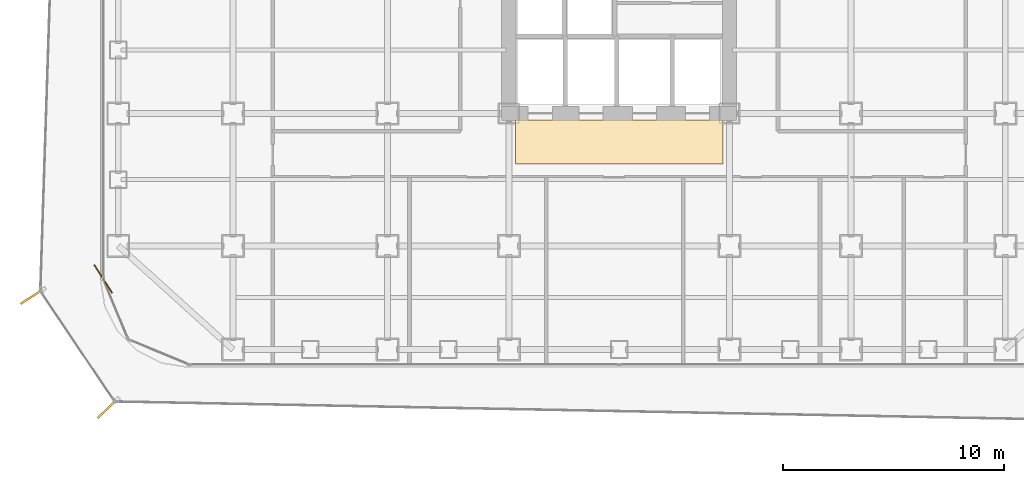
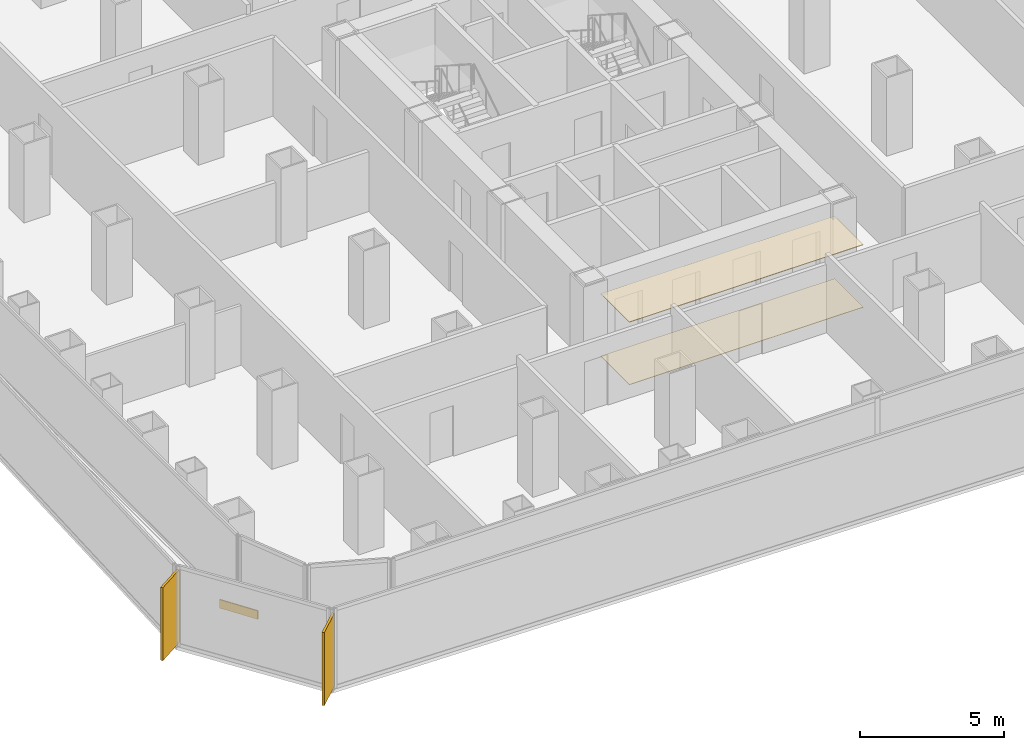
# One storey, part 20 of 22: 3 coverings, 2 shading devices.
"""IFC4 building model written with IfcOpenShell, lengths in metres."""

import ifcopenshell
import ifcopenshell.guid

model = None  # the IFC model being written
_history = None  # IfcOwnerHistory: only IFC2X3 demands one
_inside = {}  # id of a spatial element -> (the spatial element, [elements in it])
_under = {}  # id of a project, library or spatial element -> (it, [spatial elements below it])
_declared = {}  # id of a project -> (the project, [libraries it declares])
_typed = {}  # id of a type object -> (the type object, [elements of that type])
_made_of = {}  # id of a material, layer set ... -> (it, [elements and type objects made of it])


def new_model(schema):
    """Start an empty IFC model of exactly this schema.

    Asked for "IFC4X3", IfcOpenShell would pick the latest addendum, in which some entities
    have other attributes; the version numbers below select the first issue.
    IFC2X3 requires an IfcOwnerHistory on every rooted entity: one is made here for all.
    """
    global model, _history
    if schema == "IFC4X3":
        model = ifcopenshell.file(schema_version=(4, 3, 0, 0))
    else:
        model = ifcopenshell.file(schema=schema)
    _inside.clear()
    _under.clear()
    _declared.clear()
    _typed.clear()
    _made_of.clear()
    _history = None
    if model.schema == "IFC2X3":
        org = make("IfcOrganization", Name="unknown")
        user = make(
            "IfcPersonAndOrganization",
            ThePerson=make("IfcPerson", FamilyName="unknown"),
            TheOrganization=org,
        )
        app = make(
            "IfcApplication",
            ApplicationDeveloper=org,
            Version="unknown",
            ApplicationFullName="unknown",
            ApplicationIdentifier="unknown",
        )
        _history = make(
            "IfcOwnerHistory",
            OwningUser=user,
            OwningApplication=app,
            ChangeAction="ADDED",
            CreationDate=0,
        )
    return model


def make(cls, **values):
    """One entity of the class cls with the attributes given. An attribute that is None is left unset."""
    return model.create_entity(
        cls, **{name: value for name, value in values.items() if value is not None}
    )


def rooted(cls, **values):
    """An entity with a GlobalId (a new one), such as an element, a storey or a relation."""
    return make(cls, GlobalId=ifcopenshell.guid.new(), OwnerHistory=_history, **values)


def si_unit(unit_type, name, prefix=None):
    """IfcSIUnit, for example si_unit("LENGTHUNIT", "METRE", prefix="MILLI")."""
    return make("IfcSIUnit", UnitType=unit_type, Prefix=prefix, Name=name)


def assignment(units):
    """IfcUnitAssignment: the units of a project."""
    return None if units is None else make("IfcUnitAssignment", Units=units)


def point(xyz):
    """IfcCartesianPoint."""
    return None if xyz is None else make("IfcCartesianPoint", Coordinates=xyz)


def direction(xyz):
    """IfcDirection."""
    return None if xyz is None else make("IfcDirection", DirectionRatios=xyz)


def frame(location, z_axis=None, x_axis=None):
    """IfcAxis2Placement3D, a coordinate frame: its origin and axes. An axis left out is left unset."""
    return make(
        "IfcAxis2Placement3D",
        Location=point(location),
        Axis=direction(z_axis),
        RefDirection=direction(x_axis),
    )


def frame_2d(location, x_axis=None):
    """IfcAxis2Placement2D, a coordinate frame in the plane: its origin and x axis."""
    return make(
        "IfcAxis2Placement2D", Location=point(location), RefDirection=direction(x_axis)
    )


def origin():
    """The frame at (0, 0, 0) with its axes left unset."""
    return frame((0.0, 0.0, 0.0))


def origin_2d():
    """The frame at (0, 0) in the plane with its x axis left unset."""
    return frame_2d((0.0, 0.0))


def place(relative_to, where):
    """IfcLocalPlacement: puts the frame where relative to a parent placement (None: the world)."""
    return make(
        "IfcLocalPlacement", PlacementRelTo=relative_to, RelativePlacement=where
    )


def context(
    kind, dimensions, precision=None, world=None, true_north=None, identifier=None
):
    """IfcGeometricRepresentationContext, for example the 3D "Model" context."""
    return make(
        "IfcGeometricRepresentationContext",
        ContextIdentifier=identifier,
        ContextType=kind,
        CoordinateSpaceDimension=dimensions,
        Precision=precision,
        WorldCoordinateSystem=world,
        TrueNorth=true_north,
    )


def subcontext(parent, identifier, kind, view, scale=None):
    """IfcGeometricRepresentationSubContext, for example "Body" below "Model"."""
    return make(
        "IfcGeometricRepresentationSubContext",
        ContextIdentifier=identifier,
        ContextType=kind,
        ParentContext=parent,
        TargetScale=scale,
        TargetView=view,
    )


def project(units=None, contexts=None):
    """IfcProject with its units and contexts."""
    return rooted(
        "IfcProject",
        Name="project",
        RepresentationContexts=contexts,
        UnitsInContext=assignment(units),
    )


def spatial(cls, under=None, at=None, **own):
    """A site, building, storey or space (cls), placed at a placement, below another one or the project."""
    s = rooted(cls, ObjectPlacement=at, **own)
    if under is not None:
        _under.setdefault(under.id(), (under, []))[1].append(s)
    return s


def polyline(points):
    """IfcPolyline through the points."""
    return make("IfcPolyline", Points=[point(p) for p in points])


def profile(cls, at=None, kind="AREA", **sizes):
    """A parametric profile (cls). Its sizes go by their IFC names, for example OverallWidth=200.0."""
    return make(cls, ProfileType=kind, Position=at, **sizes)


def rectangle(**sizes):
    """IfcRectangleProfileDef."""
    return profile("IfcRectangleProfileDef", **sizes)


def outline(outer, holes=None, kind="AREA"):
    """IfcArbitraryClosedProfileDef: a profile drawn as a closed curve; with holes, ...WithVoids."""
    if holes is None:
        return make("IfcArbitraryClosedProfileDef", ProfileType=kind, OuterCurve=outer)
    return make(
        "IfcArbitraryProfileDefWithVoids",
        ProfileType=kind,
        OuterCurve=outer,
        InnerCurves=holes,
    )


def extrude(swept, where, along, depth):
    """IfcExtrudedAreaSolid: the profile swept, set in the frame where, extruded along a direction by depth."""
    return make(
        "IfcExtrudedAreaSolid",
        SweptArea=swept,
        Position=where,
        ExtrudedDirection=direction(along),
        Depth=depth,
    )


def shape(context_of_items, identifier, shape_type, items):
    """IfcShapeRepresentation: the items that make up one representation, for example the "Body"."""
    return make(
        "IfcShapeRepresentation",
        ContextOfItems=context_of_items,
        RepresentationIdentifier=identifier,
        RepresentationType=shape_type,
        Items=items,
    )


def source(mapping_origin, context_of_items, identifier, shape_type, items):
    """IfcRepresentationMap: a shape defined once, which mapped items show again and again."""
    return make(
        "IfcRepresentationMap",
        MappingOrigin=mapping_origin,
        MappedRepresentation=shape(context_of_items, identifier, shape_type, items),
    )


def transform(
    local_origin,
    x_axis=None,
    y_axis=None,
    z_axis=None,
    scale=None,
    scale2=None,
    scale3=None,
    uniform=True,
):
    """IfcCartesianTransformationOperator3D, or its non-uniform kind. x_axis, y_axis, z_axis: its Axis1, 2, 3."""
    if uniform:
        return make(
            "IfcCartesianTransformationOperator3D",
            Axis1=direction(x_axis),
            Axis2=direction(y_axis),
            LocalOrigin=point(local_origin),
            Scale=scale,
            Axis3=direction(z_axis),
        )
    return make(
        "IfcCartesianTransformationOperator3DnonUniform",
        Axis1=direction(x_axis),
        Axis2=direction(y_axis),
        LocalOrigin=point(local_origin),
        Scale=scale,
        Axis3=direction(z_axis),
        Scale2=scale2,
        Scale3=scale3,
    )


def mapped(mapping_source, mapping_target):
    """IfcMappedItem: shows the shape of a source again, moved by a transform."""
    return make(
        "IfcMappedItem", MappingSource=mapping_source, MappingTarget=mapping_target
    )


def material(Name=None, Category=None):
    """IfcMaterial."""
    return make("IfcMaterial", Name=Name, Category=Category)


def layer(
    of_material, thickness, ventilated=None, Name=None, Category=None, Priority=None
):
    """IfcMaterialLayer: one layer of a wall or slab, of a material (None: an air gap)."""
    return make(
        "IfcMaterialLayer",
        Material=of_material,
        LayerThickness=thickness,
        IsVentilated=ventilated,
        Name=Name,
        Category=Category,
        Priority=Priority,
    )


def layer_set(layers, Name=None):
    """IfcMaterialLayerSet."""
    return make("IfcMaterialLayerSet", MaterialLayers=layers, LayerSetName=Name)


def made_of(thing, what):
    """Note that an element or type object is made of a material, layer set ...; save() writes the relation."""
    if what is not None:
        _made_of.setdefault(what.id(), (what, []))[1].append(thing)
    return thing


def type_object(cls, material=None, **own):
    """A type object (cls), such as IfcWallType, which elements share."""
    return made_of(rooted(cls, **own), material)


def element(
    cls,
    number,
    at=None,
    inside=None,
    cuts=None,
    type_object=None,
    material=None,
    context=None,
    identifier="Body",
    shape_type=None,
    held_by="IfcProductDefinitionShape",
    body=None,
    shapes=None,
    **own,
):
    """One element of the class cls, such as IfcWall. Its Tag is "e" and its number.

    at: its placement. inside: the storey or other place that contains it. cuts: it is an
    opening in that element (IfcRelVoidsElement). A single representation is given by context,
    identifier, shape_type and body (its items); several are given by shapes. held_by: the class
    of the entity that holds the representations. save() writes the other relations.
    """
    e = rooted(cls, Tag="e%d" % number, ObjectPlacement=at, **own)
    if body is not None:
        shapes = [shape(context, identifier, shape_type, body)]
    if shapes is not None:
        e.Representation = make(held_by, Representations=shapes)
    if inside is not None:
        _inside.setdefault(inside.id(), (inside, []))[1].append(e)
    if cuts is not None:
        rooted(
            "IfcRelVoidsElement", RelatingBuildingElement=cuts, RelatedOpeningElement=e
        )
    if type_object is not None:
        _typed.setdefault(type_object.id(), (type_object, []))[1].append(e)
    return made_of(e, material)


def aggregate(whole, parts):
    """IfcRelAggregates: a whole, such as a stair, and the parts it consists of."""
    return rooted("IfcRelAggregates", RelatingObject=whole, RelatedObjects=parts)


def save(model, path):
    """Write the relations noted so far, then the file.

    IfcRelAggregates (storeys below a building ...), IfcRelContainedInSpatialStructure (elements
    in a storey), IfcRelDefinesByType, IfcRelAssociatesMaterial and IfcRelDeclares: one each for
    every whole, place, type object, material and project.
    """
    for whole, parts in _under.values():
        aggregate(whole, parts)
    for where, things in _inside.values():
        rooted(
            "IfcRelContainedInSpatialStructure",
            RelatedElements=things,
            RelatingStructure=where,
        )
    for kind, things in _typed.values():
        rooted("IfcRelDefinesByType", RelatedObjects=things, RelatingType=kind)
    for what, things in _made_of.values():
        rooted("IfcRelAssociatesMaterial", RelatedObjects=things, RelatingMaterial=what)
    for by, libraries in _declared.values():
        rooted("IfcRelDeclares", RelatingContext=by, RelatedDefinitions=libraries)
    model.write(path)


model = new_model("IFC4")

# Units and contexts
model_context = context("Model", 3, precision=1e-05, world=origin(), true_north=direction((0.0, 1.0)))
body_context = subcontext(model_context, "Body", "Model", "MODEL_VIEW")
ifc_project = project(units=[si_unit("LENGTHUNIT", "METRE"), si_unit("AREAUNIT", "SQUARE_METRE"), si_unit("VOLUMEUNIT", "CUBIC_METRE"), si_unit("PLANEANGLEUNIT", "RADIAN"), si_unit("MASSUNIT", "GRAM", prefix="KILO")], contexts=[model_context])

# Site, building, storey
site_placement = place(None, origin())
site = spatial("IfcSite", under=ifc_project, at=site_placement, CompositionType="ELEMENT")
building_placement = place(site_placement, origin())
building = spatial("IfcBuilding", under=site, at=building_placement, Name="Kolveth Station Tower", CompositionType="ELEMENT")
storey_placement = place(building_placement, frame((0.0, 0.0, 69.300048828125)))
storey = spatial("IfcBuildingStorey", under=building, at=storey_placement, Name="L18", CompositionType="ELEMENT", Elevation=69.300048828125)

# Coverings
ifc_material_1 = material(Name="Acoustic mineral-fibre ceiling tile")
ifc_layer_1 = layer(ifc_material_1, 0.02490234375)
ifc_layer_set_1 = layer_set([ifc_layer_1], Name="Acoustic mineral-fibre ceiling tile")
covering_type_1 = type_object("IfcCoveringType", Name="Ceil_CL1", PredefinedType="CEILING", material=ifc_layer_set_1)
covering_1_placement = place(storey_placement, frame((0.0, 0.0, 2.64990234375)))
element("IfcCovering", 1, at=covering_1_placement, inside=storey, type_object=covering_type_1, Name="L18 Lift Lobby Suspended Ceiling", PredefinedType="CEILING", context=body_context, shape_type="SweptSolid", body=[
    extrude(outline(polyline([(18.800048828125, 9.199951171875), (28.199951171875, 9.199951171875), (28.199951171875, 11.199951171875), (18.800048828125, 11.199951171875), (18.800048828125, 9.199951171875)])), origin(), (0.0, 0.0, 1.0), 0.025146484375),
])
ifc_material_2 = material(Name="Honed terrazzo flooring")
ifc_layer_2 = layer(ifc_material_2, 0.02001953125)
ifc_layer_set_2 = layer_set([ifc_layer_2], Name="Honed terrazzo flooring")
covering_type_2 = type_object("IfcCoveringType", Name="Floor_FL1", PredefinedType="FLOORING", material=ifc_layer_set_2)
covering_2_placement = place(storey_placement, origin())
element("IfcCovering", 2, at=covering_2_placement, inside=storey, type_object=covering_type_2, Name="L18 Lift Lobby Floor Finish", PredefinedType="FLOORING", context=body_context, shape_type="SweptSolid", body=[
    extrude(outline(polyline([(18.800048828125, 9.199951171875), (28.199951171875, 9.199951171875), (28.199951171875, 11.199951171875), (18.800048828125, 11.199951171875), (18.800048828125, 9.199951171875)])), origin(), (0.0, 0.0, 1.0), 0.02001953125),
])

# Shading devices
ifc_material_3 = material(Name="Black anodized aluminium 6063-T6", Category="aluminium")
shading_device_type = type_object("IfcShadingDeviceType", Name="FIN_VF1", PredefinedType="USERDEFINED", material=ifc_material_3)
shared_shape_1 = source(origin(), body_context, "Body", "SweptSolid", [
    extrude(rectangle(XDim=1.25, YDim=0.090087890625, at=origin_2d()), origin(), (0.0, 0.0, 1.0), 3.10009765625),
])
for number, where, z_axis, x_axis, name in (
    (3, (-3.10302734375, 3.2060546875, 0.0), (0.0, 0.0, 1.0), (-0.841981910079, -0.539505758171, 0.0), "L18 Dark-Aluminium Solar Fin 7"),
    (4, (0.31689453125, -1.873046875, 0.0), (0.0, 0.0, 1.0), (-0.7234492966, -0.690377516471, 0.0), "L18 Dark-Aluminium Solar Fin 8"),
):
    element("IfcShadingDevice", number, at=place(storey_placement, frame(where, z_axis=z_axis, x_axis=x_axis)), inside=storey, type_object=shading_device_type, Name=name, ObjectType="FIN", PredefinedType="USERDEFINED", context=body_context, shape_type="MappedRepresentation", body=[
        mapped(shared_shape_1, transform((0.0, 0.0, 0.0), x_axis=(1.0, 0.0, 0.0), y_axis=(0.0, 1.0, 0.0), z_axis=(0.0, 0.0, 1.0), scale=1.0)),
    ])

# Covering
ifc_material_4 = material(Name="Charcoal anodized aluminium spandrel cladding", Category="aluminium")
ifc_layer_3 = layer(ifc_material_4, 0.044921875)
ifc_layer_set_3 = layer_set([ifc_layer_3], Name="Charcoal anodized aluminium spandrel cladding")
covering_type_3 = type_object("IfcCoveringType", Name="Clad_CD1", PredefinedType="CLADDING", material=ifc_layer_set_3)
shared_shape_2 = source(origin(), body_context, "Body", "SweptSolid", [
    extrude(rectangle(XDim=1.5, YDim=0.044921875, at=origin_2d()), origin(), (0.0, 0.0, 1.0), 0.360107421875),
])
covering_3_placement = place(storey_placement, frame((0.1201171875, 4.0, 0.0), z_axis=(0.0, 0.0, 1.0), x_axis=(0.539505758171, -0.841981910079, 0.0)))
element("IfcCovering", 5, at=covering_3_placement, inside=storey, type_object=covering_type_3, Name="L18 Spandrel Edge Cladding 7", PredefinedType="CLADDING", context=body_context, shape_type="MappedRepresentation", body=[
    mapped(shared_shape_2, transform((0.0, 0.0, 0.0), x_axis=(1.0, 0.0, 0.0), y_axis=(0.0, 1.0, 0.0), z_axis=(0.0, 0.0, 1.0), scale=1.0)),
])

save(model, "model.ifc")
